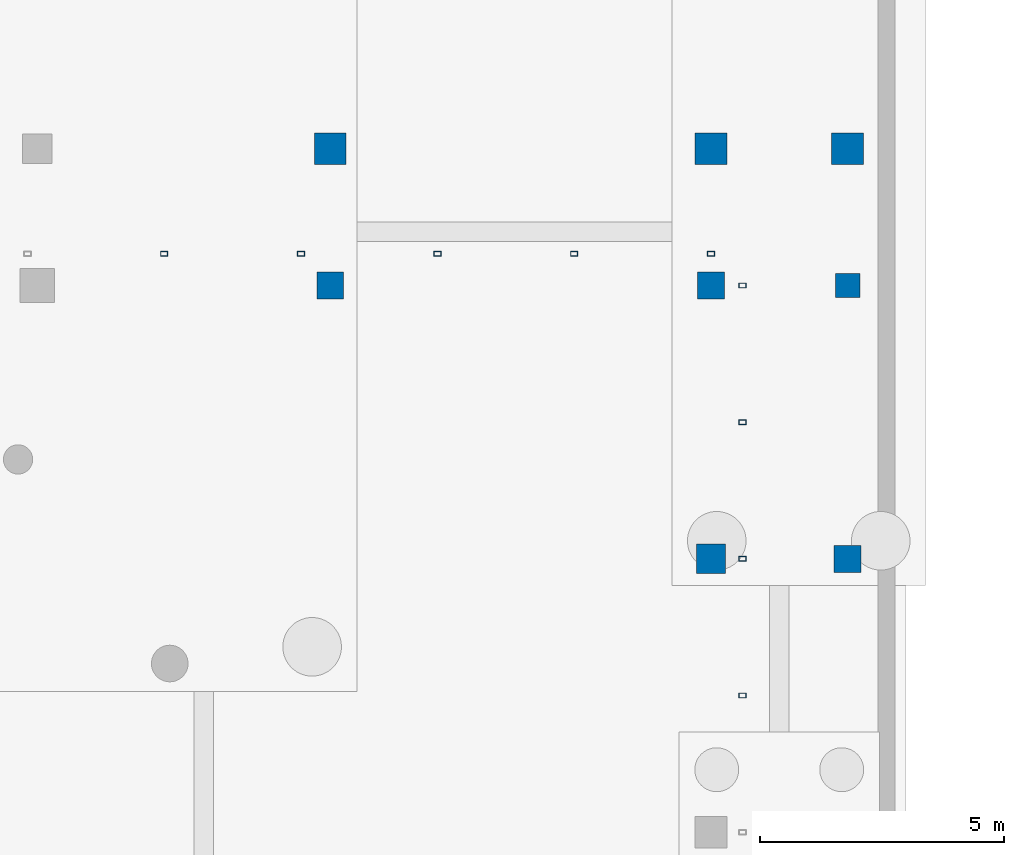
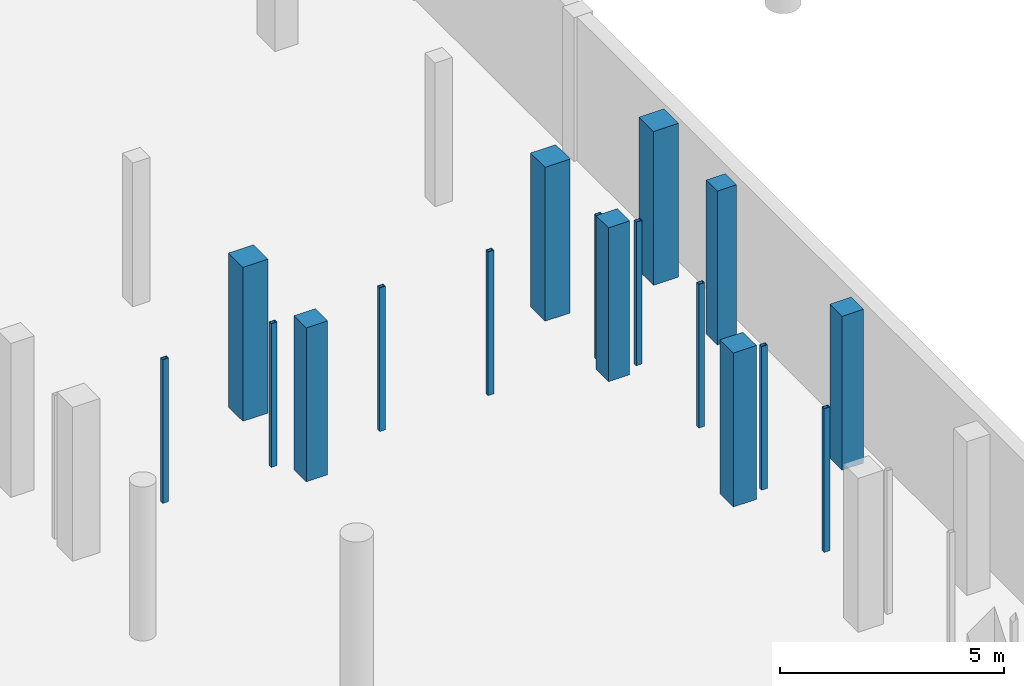
# One storey, part 19 of 34: 17 columns.
"""IFC4 building model written with IfcOpenShell, lengths in metres."""

from ifc_helpers import new_model, si_unit, direction, frame, origin, origin_2d, place, context, subcontext, project, spatial, rectangle, hollow_rectangle, extrude, material, material_profile, profile_set, type_object, element, save


model = new_model("IFC4")

# Units and contexts
model_context = context("Model", 3, precision=1e-05, world=origin(), true_north=direction((0.0, 1.0)))
body_context = subcontext(model_context, "Body", "Model", "MODEL_VIEW")
ifc_project = project(units=[si_unit("LENGTHUNIT", "METRE"), si_unit("AREAUNIT", "SQUARE_METRE"), si_unit("VOLUMEUNIT", "CUBIC_METRE"), si_unit("PLANEANGLEUNIT", "RADIAN"), si_unit("MASSUNIT", "GRAM", prefix="KILO")], contexts=[model_context])

# Site, building, storey
site_placement = place(None, origin())
site = spatial("IfcSite", under=ifc_project, at=site_placement, CompositionType="ELEMENT")
building_placement = place(site_placement, origin())
building = spatial("IfcBuilding", under=site, at=building_placement, Name="Vinh Khe Railworks Police Headquarters", CompositionType="ELEMENT")
storey_placement = place(building_placement, frame((0.0, 0.0, -4.199951171875)))
storey = spatial("IfcBuildingStorey", under=building, at=storey_placement, Name="B1", CompositionType="ELEMENT", Elevation=-4.199951171875)

# Columns
ifc_material_1 = material(Name="Steel S355JR", Category="steel")
ifc_material_profile_1 = material_profile(ifc_material_1, hollow_rectangle(XDim=0.14990234375, YDim=0.10009765625, WallThickness=0.008056640625, at=origin_2d()), Name="RHS 150x100x8")
ifc_profile_set_1 = profile_set([ifc_material_profile_1], Name="Steel S355JR")
column_type_1 = type_object("IfcColumnType", Name="COL-QUILT-POST", PredefinedType="COLUMN", material=ifc_profile_set_1)
for number, where, z_axis, x_axis, name in (
    (1, (48.800048828125, 59.449951171875, 0.0), (0.0, 0.0, 1.0), (1.0, 0.0, 0.0), "Patchwork Quilt Plinth Column N-9 (B1)"),
    (2, (51.60009765625, 59.449951171875, 0.0), (0.0, 0.0, 1.0), (1.0, 0.0, 0.0), "Patchwork Quilt Plinth Column N-10 (B1)"),
    (3, (54.39990234375, 59.449951171875, 0.0), (0.0, 0.0, 1.0), (1.0, 0.0, 0.0), "Patchwork Quilt Plinth Column N-11 (B1)"),
    (4, (57.199951171875, 59.449951171875, 0.0), (0.0, 0.0, 1.0), (1.0, 0.0, 0.0), "Patchwork Quilt Plinth Column N-12 (B1)"),
    (5, (60.0, 59.449951171875, 0.0), (0.0, 0.0, 1.0), (1.0, 0.0, 0.0), "Patchwork Quilt Plinth Column N-13 (B1)"),
    (6, (60.64990234375, 50.39990234375, 0.0), (0.0, 0.0, 1.0), (1.0, 0.0, 0.0), "Patchwork Quilt Plinth Column E-10 (B1)"),
    (7, (60.64990234375, 53.199951171875, 0.0), (0.0, 0.0, 1.0), (1.0, 0.0, 0.0), "Patchwork Quilt Plinth Column E-11 (B1)"),
    (8, (60.64990234375, 56.0, 0.0), (0.0, 0.0, 1.0), (1.0, 0.0, 0.0), "Patchwork Quilt Plinth Column E-12 (B1)"),
    (9, (60.64990234375, 58.800048828125, 0.0), (0.0, 0.0, 1.0), (1.0, 0.0, 0.0), "Patchwork Quilt Plinth Column E-13 (B1)"),
):
    element("IfcColumn", number, at=place(storey_placement, frame(where, z_axis=z_axis, x_axis=x_axis)), inside=storey, type_object=column_type_1, Name=name, PredefinedType="COLUMN", context=body_context, shape_type="SweptSolid", body=[
        extrude(hollow_rectangle(XDim=0.14990234375, YDim=0.10009765625, WallThickness=0.008056640625, at=origin_2d()), origin(), (0.0, 0.0, 1.0), 3.919921875),
    ])
ifc_material_2 = material(Name="Concrete C40/50 (B40)", Category="concrete")
ifc_material_profile_2 = material_profile(ifc_material_2, rectangle(XDim=0.5, YDim=0.5, at=origin_2d()), Name="RC 500x500")
ifc_profile_set_2 = profile_set([ifc_material_profile_2], Name="Concrete C40/50 (B40)")
column_type_2 = type_object("IfcColumnType", Name="RC Column RC 500x500", PredefinedType="COLUMN", material=ifc_profile_set_2)
column_1_placement = place(storey_placement, frame((62.800048828125, 58.800048828125, 0.0), z_axis=(0.0, 0.0, 1.0), x_axis=(1.0, 0.0, 0.0)))
element("IfcColumn", 10, at=column_1_placement, inside=storey, type_object=column_type_2, Name="Column COL-B1-CC-07-1101", PredefinedType="COLUMN", context=body_context, shape_type="SweptSolid", body=[
    extrude(rectangle(XDim=0.5, YDim=0.5, at=origin_2d()), origin(), (0.0, 0.0, 1.0), 4.199951171875),
])
ifc_material_profile_3 = material_profile(ifc_material_2, rectangle(XDim=0.550048828125, YDim=0.550048828125, at=origin_2d()), Name="RC 550x550")
ifc_profile_set_3 = profile_set([ifc_material_profile_3], Name="Concrete C40/50 (B40)")
column_type_3 = type_object("IfcColumnType", Name="RC Column RC 550x550", PredefinedType="COLUMN", material=ifc_profile_set_3)
for number, where, z_axis, x_axis, name in (
    (11, (52.199951171875, 58.800048828125, 0.0), (0.0, 0.0, 1.0), (1.0, 0.0, 0.0), "Column COL-B1-CC-06-0973"),
    (12, (60.0, 58.800048828125, 0.0), (0.0, 0.0, 1.0), (1.0, 0.0, 0.0), "Column COL-B1-CC-06-1037"),
    (13, (62.800048828125, 53.199951171875, 0.0), (0.0, 0.0, 1.0), (1.0, 0.0, 0.0), "Column COL-B1-CC-06-1096"),
):
    element("IfcColumn", number, at=place(storey_placement, frame(where, z_axis=z_axis, x_axis=x_axis)), inside=storey, type_object=column_type_3, Name=name, PredefinedType="COLUMN", context=body_context, shape_type="SweptSolid", body=[
        extrude(rectangle(XDim=0.550048828125, YDim=0.550048828125, at=origin_2d()), origin(), (0.0, 0.0, 1.0), 4.199951171875),
    ])
ifc_material_profile_4 = material_profile(ifc_material_2, rectangle(XDim=0.60009765625, YDim=0.60009765625, at=origin_2d()), Name="RC 600x600")
ifc_profile_set_4 = profile_set([ifc_material_profile_4], Name="Concrete C40/50 (B40)")
column_type_4 = type_object("IfcColumnType", Name="RC Column RC 600x600", PredefinedType="COLUMN", material=ifc_profile_set_4)
column_2_placement = place(storey_placement, frame((60.0, 53.199951171875, 0.0), z_axis=(0.0, 0.0, 1.0), x_axis=(1.0, 0.0, 0.0)))
element("IfcColumn", 14, at=column_2_placement, inside=storey, type_object=column_type_4, Name="Column COL-B1-CC-05-1032", PredefinedType="COLUMN", context=body_context, shape_type="SweptSolid", body=[
    extrude(rectangle(XDim=0.60009765625, YDim=0.60009765625, at=origin_2d()), origin(), (0.0, 0.0, 1.0), 4.199951171875),
])
ifc_material_profile_5 = material_profile(ifc_material_2, rectangle(XDim=0.64990234375, YDim=0.64990234375, at=origin_2d()), Name="RC 650x650")
ifc_profile_set_5 = profile_set([ifc_material_profile_5], Name="Concrete C40/50 (B40)")
column_type_5 = type_object("IfcColumnType", Name="RC Column RC 650x650", PredefinedType="COLUMN", material=ifc_profile_set_5)
for number, where, z_axis, x_axis, name in (
    (15, (52.199951171875, 61.60009765625, 0.0), (0.0, 0.0, 1.0), (1.0, 0.0, 0.0), "Column COL-B1-CC-04-0978"),
    (16, (60.0, 61.60009765625, 0.0), (0.0, 0.0, 1.0), (1.0, 0.0, 0.0), "Column COL-B1-CC-04-1042"),
    (17, (62.800048828125, 61.60009765625, 0.0), (0.0, 0.0, 1.0), (1.0, 0.0, 0.0), "Column COL-B1-CC-04-1106"),
):
    element("IfcColumn", number, at=place(storey_placement, frame(where, z_axis=z_axis, x_axis=x_axis)), inside=storey, type_object=column_type_5, Name=name, PredefinedType="COLUMN", context=body_context, shape_type="SweptSolid", body=[
        extrude(rectangle(XDim=0.64990234375, YDim=0.64990234375, at=origin_2d()), origin(), (0.0, 0.0, 1.0), 4.199951171875),
    ])

save(model, "model.ifc")
